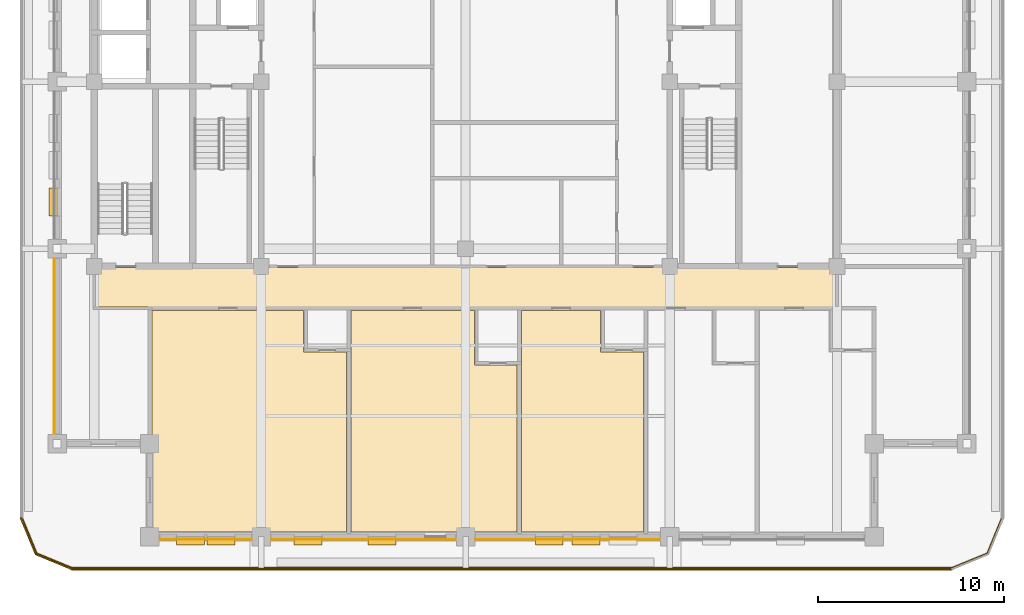
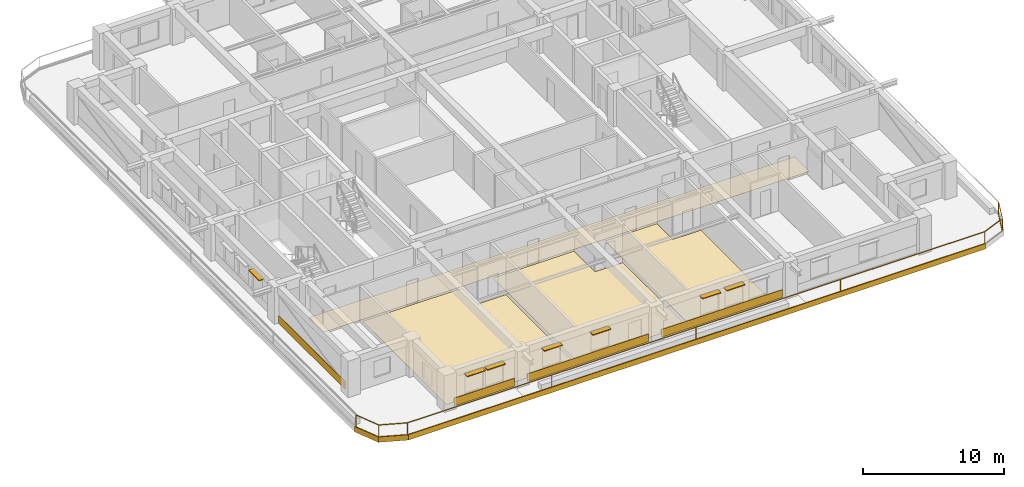
# One storey, part 8 of 14: 11 coverings, 7 shading devices, 1 railing.
"""IFC4 building model written with IfcOpenShell, lengths in metres."""

from ifc_helpers import new_model, si_unit, direction, frame, frame_2d, origin, origin_2d, place, context, subcontext, project, spatial, polyline, rectangle, outline, extrude, material, layer, layer_set, type_object, element, save


model = new_model("IFC4")

# Units and contexts
model_context = context("Model", 3, precision=1e-05, world=origin(), true_north=direction((0.0, 1.0)))
body_context = subcontext(model_context, "Body", "Model", "MODEL_VIEW")
ifc_project = project(units=[si_unit("LENGTHUNIT", "METRE"), si_unit("AREAUNIT", "SQUARE_METRE"), si_unit("VOLUMEUNIT", "CUBIC_METRE"), si_unit("PLANEANGLEUNIT", "RADIAN"), si_unit("MASSUNIT", "GRAM", prefix="KILO")], contexts=[model_context])

# Site, building, storey
site_placement = place(None, origin())
site = spatial("IfcSite", under=ifc_project, at=site_placement, CompositionType="ELEMENT")
building_placement = place(site_placement, origin())
building = spatial("IfcBuilding", under=site, at=building_placement, Name="Zulmaris Gate Convention Tower", CompositionType="ELEMENT")
storey_placement = place(building_placement, frame((0.0, 0.0, 179.659912109375)))
storey = spatial("IfcBuildingStorey", under=building, at=storey_placement, Name="L46", CompositionType="ELEMENT", Elevation=179.659912109375)

# Coverings
ifc_material_1 = material(Name="Precast concrete C40/50", Category="concrete")
ifc_layer_1 = layer(ifc_material_1, 0.0400390625, Name="Precast concrete C40/50")
ifc_layer_set_1 = layer_set([ifc_layer_1], Name="Precast concrete C40/50")
covering_type_1 = type_object("IfcCoveringType", Name="CLAD-SPANDREL-PRECAST", PredefinedType="CLADDING", material=ifc_layer_set_1)
covering_1_placement = place(storey_placement, frame((-16.469970703125, -24.64990234375, 0.0), z_axis=(0.0, 0.0, 1.0), x_axis=(1.0, 0.0, 0.0)))
element("IfcCovering", 1, at=covering_1_placement, inside=storey, type_object=covering_type_1, Name="CLD-L46-S-0_0", PredefinedType="CLADDING", context=body_context, shape_type="SweptSolid", body=[
    extrude(rectangle(XDim=4.93994140625, YDim=0.0400390625, at=frame_2d((2.469970703125, 0.0))), origin(), (0.0, 0.0, 1.0), 0.679931640625),
])
for number, where, z_axis, x_axis, name in (
    (2, (-10.469970703125, -24.64990234375, 0.0), (0.0, 0.0, 1.0), (1.0, 0.0, 0.0), "CLD-L46-S-1_0"),
    (3, (0.530029296875, -24.64990234375, 0.0), (0.0, 0.0, 1.0), (1.0, 0.0, 0.0), "CLD-L46-S-2_0"),
):
    element("IfcCovering", number, at=place(storey_placement, frame(where, z_axis=z_axis, x_axis=x_axis)), inside=storey, type_object=covering_type_1, Name=name, PredefinedType="CLADDING", context=body_context, shape_type="SweptSolid", body=[
        extrude(rectangle(XDim=9.93994140625, YDim=0.0400390625, at=frame_2d((4.969970703125, 0.0))), origin(), (0.0, 0.0, 1.0), 0.679931640625),
    ])
covering_2_placement = place(storey_placement, frame((-22.14990234375, -9.530029296875, 0.0), z_axis=(0.0, 0.0, 1.0), x_axis=(0.0, -1.0, 0.0)))
element("IfcCovering", 4, at=covering_2_placement, inside=storey, type_object=covering_type_1, Name="CLD-L46-W-0_0", PredefinedType="CLADDING", context=body_context, shape_type="SweptSolid", body=[
    extrude(rectangle(XDim=9.43994140625, YDim=0.0400390625, at=frame_2d((4.719970703125, 0.0))), origin(), (0.0, 0.0, 1.0), 0.679931640625),
])
ifc_material_2 = material(Name="White Glazed Architectural Precast Concrete C40/50", Category="concrete")
ifc_layer_2 = layer(ifc_material_2, 0.080078125, Name="White Glazed Architectural Precast Concrete C40/50")
ifc_layer_set_2 = layer_set([ifc_layer_2], Name="White Glazed Architectural Precast Concrete C40/50")
covering_type_2 = type_object("IfcCoveringType", Name="CLAD-TRAY-FASCIA", PredefinedType="CLADDING", material=ifc_layer_set_2)
covering_3_placement = place(storey_placement, frame((-23.962890625, -23.484619140625, -0.31494140625), z_axis=(0.0, 0.0, 1.0), x_axis=(0.382656984709, -0.923890487046, 0.0)))
element("IfcCovering", 5, at=covering_3_placement, inside=storey, type_object=covering_type_2, Name="FSC-L46-TR-00", PredefinedType="CLADDING", context=body_context, shape_type="SweptSolid", body=[
    extrude(rectangle(XDim=2.14306640625, YDim=0.080078125, at=frame_2d((1.071533203125, 0.0))), origin(), (0.0, 0.0, 1.0), 0.4599609375),
])
covering_4_placement = place(storey_placement, frame((-23.16455078125, -25.44287109375, -0.31494140625), z_axis=(0.0, 0.0, 1.0), x_axis=(0.923873803533, -0.382697263049, 0.0)))
element("IfcCovering", 6, at=covering_4_placement, inside=storey, type_object=covering_type_2, Name="FSC-L46-TR-01", PredefinedType="CLADDING", context=body_context, shape_type="SweptSolid", body=[
    extrude(rectangle(XDim=2.142822265625, YDim=0.080078125, at=frame_2d((1.0712890625, 0.0))), origin(), (0.0, 0.0, 1.0), 0.4599609375),
])
covering_5_placement = place(storey_placement, frame((-21.199951171875, -26.260009765625, -0.31494140625), z_axis=(0.0, 0.0, 1.0), x_axis=(1.0, 0.0, 0.0)))
element("IfcCovering", 7, at=covering_5_placement, inside=storey, type_object=covering_type_2, Name="FSC-L46-TR-02", PredefinedType="CLADDING", context=body_context, shape_type="SweptSolid", body=[
    extrude(rectangle(XDim=47.39990234375, YDim=0.080078125, at=frame_2d((23.699951171875, 0.0))), origin(), (0.0, 0.0, 1.0), 0.4599609375),
])
ifc_material_3 = material(Name="Woven Acoustic Wool Carpet Tile")
ifc_layer_3 = layer(ifc_material_3, 0.02001953125, Name="Woven Acoustic Wool Carpet Tile")
ifc_layer_set_3 = layer_set([ifc_layer_3], Name="Woven Acoustic Wool Carpet Tile")
covering_type_3 = type_object("IfcCoveringType", Name="FLR-CARPET-12", PredefinedType="FLOORING", material=ifc_layer_set_3)
covering_6_placement = place(storey_placement, origin())
element("IfcCovering", 8, at=covering_6_placement, inside=storey, type_object=covering_type_3, Name="FLR-L46-R26", PredefinedType="FLOORING", context=body_context, shape_type="SweptSolid", body=[
    extrude(outline(polyline([(-19.93994140625, -12.139892578125), (19.93994140625, -12.139892578125), (19.93994140625, -10.010009765625), (-19.93994140625, -10.010009765625), (-19.93994140625, -12.139892578125)])), origin(), (0.0, 0.0, 1.0), 0.02001953125),
])
ifc_material_4 = material(Name="Engineered Teak Parquet Flooring")
ifc_layer_4 = layer(ifc_material_4, 0.02001953125, Name="Engineered Teak Parquet Flooring")
ifc_layer_set_4 = layer_set([ifc_layer_4], Name="Engineered Teak Parquet Flooring")
covering_type_4 = type_object("IfcCoveringType", Name="FLR-TIMBER-18", PredefinedType="FLOORING", material=ifc_layer_set_4)
covering_7_placement = place(storey_placement, origin())
element("IfcCovering", 9, at=covering_7_placement, inside=storey, type_object=covering_type_4, Name="FLR-L46-R40", PredefinedType="FLOORING", context=body_context, shape_type="SweptSolid", body=[
    extrude(outline(polyline([(-16.8798828125, -24.260009765625), (-6.419921875, -24.260009765625), (-6.419921875, -14.570068359375), (-8.719970703125, -14.570068359375), (-8.719970703125, -12.320068359375), (-16.8798828125, -12.320068359375), (-16.8798828125, -24.260009765625)])), origin(), (0.0, 0.0, 1.0), 0.02001953125),
])
covering_8_placement = place(storey_placement, origin())
element("IfcCovering", 10, at=covering_8_placement, inside=storey, type_object=covering_type_4, Name="FLR-L46-R42", PredefinedType="FLOORING", context=body_context, shape_type="SweptSolid", body=[
    extrude(outline(polyline([(-6.179931640625, -24.260009765625), (2.780029296875, -24.260009765625), (2.780029296875, -15.27001953125), (0.47998046875, -15.27001953125), (0.47998046875, -12.320068359375), (-6.179931640625, -12.320068359375), (-6.179931640625, -24.260009765625)])), origin(), (0.0, 0.0, 1.0), 0.02001953125),
])
covering_9_placement = place(storey_placement, origin())
element("IfcCovering", 11, at=covering_9_placement, inside=storey, type_object=covering_type_4, Name="FLR-L46-R44", PredefinedType="FLOORING", context=body_context, shape_type="SweptSolid", body=[
    extrude(outline(polyline([(3.02001953125, -24.260009765625), (9.580078125, -24.260009765625), (9.580078125, -14.570068359375), (7.280029296875, -14.570068359375), (7.280029296875, -12.320068359375), (3.02001953125, -12.320068359375), (3.02001953125, -24.260009765625)])), origin(), (0.0, 0.0, 1.0), 0.02001953125),
])

# Railing
ifc_material_5 = material(Name="Laminated Glass and Stainless Steel", Category="steel")
railing_type = type_object("IfcRailingType", Name="RL-BALC-1150", PredefinedType="BALUSTRADE", material=ifc_material_5)
railing_placement = place(storey_placement, frame((-23.8798828125, -23.5, -0.014892578125)))
element("IfcRailing", 12, at=railing_placement, inside=storey, type_object=railing_type, Name="RL-L46-BALC-S", PredefinedType="BALUSTRADE", context=body_context, shape_type="SweptSolid", body=[
    extrude(rectangle(XDim=0.048095703125, YDim=0.048095703125, at=origin_2d()), frame((0.0, 0.0, 1.1259765625), z_axis=(0.382670664694, -0.92388482095, 0.0), x_axis=(0.92388482095, 0.382670664694, 0.0)), (0.0, 0.0, 1.0), 2.051025390625),
    extrude(rectangle(XDim=0.048095703125, YDim=0.048095703125, at=origin_2d()), frame((0.0, 0.0, 0.02392578125), z_axis=(0.382670664694, -0.92388482095, 0.0), x_axis=(0.92388482095, 0.382670664694, 0.0)), (0.0, 0.0, 1.0), 2.051025390625),
    extrude(rectangle(XDim=0.048095703125, YDim=0.048095703125, at=origin_2d()), frame((0.784912109375, -1.89501953125, 1.1259765625), z_axis=(0.92388482095, -0.382670664694, 0.0), x_axis=(0.382670664694, 0.92388482095, 0.0)), (0.0, 0.0, 1.0), 2.051025390625),
    extrude(rectangle(XDim=0.048095703125, YDim=0.048095703125, at=origin_2d()), frame((0.784912109375, -1.89501953125, 0.02392578125), z_axis=(0.92388482095, -0.382670664694, 0.0), x_axis=(0.382670664694, 0.92388482095, 0.0)), (0.0, 0.0, 1.0), 2.051025390625),
    extrude(rectangle(XDim=0.048095703125, YDim=0.048095703125, at=origin_2d()), frame((2.679931640625, -2.679931640625, 1.1259765625), z_axis=(1.0, 0.0, 0.0), x_axis=(0.0, 1.0, 0.0)), (0.0, 0.0, 1.0), 47.39990234375),
    extrude(rectangle(XDim=0.048095703125, YDim=0.048095703125, at=origin_2d()), frame((2.679931640625, -2.679931640625, 0.02392578125), z_axis=(1.0, 0.0, 0.0), x_axis=(0.0, 1.0, 0.0)), (0.0, 0.0, 1.0), 47.39990234375),
    extrude(rectangle(XDim=0.048095703125, YDim=0.048095703125, at=origin_2d()), frame((50.079833984375, -2.679931640625, 1.1259765625), z_axis=(0.92388482095, 0.382670664694, 0.0), x_axis=(-0.382670664694, 0.92388482095, 0.0)), (0.0, 0.0, 1.0), 2.051025390625),
    extrude(rectangle(XDim=0.048095703125, YDim=0.048095703125, at=origin_2d()), frame((50.079833984375, -2.679931640625, 0.02392578125), z_axis=(0.92388482095, 0.382670664694, 0.0), x_axis=(-0.382670664694, 0.92388482095, 0.0)), (0.0, 0.0, 1.0), 2.051025390625),
    extrude(rectangle(XDim=0.048095703125, YDim=0.048095703125, at=origin_2d()), frame((51.974853515625, -1.89501953125, 1.1259765625), z_axis=(0.382670664694, 0.92388482095, 0.0), x_axis=(-0.92388482095, 0.382670664694, 0.0)), (0.0, 0.0, 1.0), 2.051025390625),
    extrude(rectangle(XDim=0.048095703125, YDim=0.048095703125, at=origin_2d()), frame((51.974853515625, -1.89501953125, 0.02392578125), z_axis=(0.382670664694, 0.92388482095, 0.0), x_axis=(-0.92388482095, 0.382670664694, 0.0)), (0.0, 0.0, 1.0), 2.051025390625),
    extrude(rectangle(XDim=0.0419921875, YDim=0.0419921875, at=origin_2d()), origin(), (0.0, 0.0, 1.0), 1.101806640625),
    extrude(rectangle(XDim=0.0419921875, YDim=0.0419921875, at=origin_2d()), frame((0.784912109375, -1.89501953125, 0.0)), (0.0, 0.0, 1.0), 1.101806640625),
    extrude(rectangle(XDim=0.0419921875, YDim=0.0419921875, at=origin_2d()), frame((2.679931640625, -2.679931640625, 0.0)), (0.0, 0.0, 1.0), 1.101806640625),
    extrude(rectangle(XDim=0.0419921875, YDim=0.0419921875, at=origin_2d()), frame((14.52978515625, -2.679931640625, 0.0)), (0.0, 0.0, 1.0), 1.101806640625),
    extrude(rectangle(XDim=0.0419921875, YDim=0.0419921875, at=origin_2d()), frame((26.3798828125, -2.679931640625, 0.0)), (0.0, 0.0, 1.0), 1.101806640625),
    extrude(rectangle(XDim=0.0419921875, YDim=0.0419921875, at=origin_2d()), frame((38.22998046875, -2.679931640625, 0.0)), (0.0, 0.0, 1.0), 1.101806640625),
    extrude(rectangle(XDim=0.0419921875, YDim=0.0419921875, at=origin_2d()), frame((50.079833984375, -2.679931640625, 0.0)), (0.0, 0.0, 1.0), 1.101806640625),
    extrude(rectangle(XDim=0.0419921875, YDim=0.0419921875, at=origin_2d()), frame((51.974853515625, -1.89501953125, 0.0)), (0.0, 0.0, 1.0), 1.101806640625),
    extrude(rectangle(XDim=0.0419921875, YDim=0.0419921875, at=origin_2d()), frame((52.759765625, 0.0, 0.0)), (0.0, 0.0, 1.0), 1.101806640625),
])

# Shading devices
ifc_material_6 = material(Name="Glazed Ceramic Terracotta", Category="masonry")
ifc_layer_5 = layer(ifc_material_6, 0.070068359375, Name="Glazed Ceramic Terracotta")
ifc_layer_set_5 = layer_set([ifc_layer_5], Name="Glazed Ceramic Terracotta")
shading_device_type = type_object("IfcShadingDeviceType", Name="SHD-SUNSHADE-TC", PredefinedType="AWNING", material=ifc_layer_set_5)
for number, where, z_axis, x_axis, name in (
    (13, (-15.572998046875, -24.719970703125, 2.35009765625), (0.0, 0.0, 1.0), (1.0, 0.0, 0.0), "SHD-EW-L46-S-0_0-1"),
    (14, (-13.927001953125, -24.719970703125, 2.35009765625), (0.0, 0.0, 1.0), (1.0, 0.0, 0.0), "SHD-EW-L46-S-0_0-2"),
    (15, (-9.23193359375, -24.719970703125, 2.35009765625), (0.0, 0.0, 1.0), (1.0, 0.0, 0.0), "SHD-EW-L46-S-1_0-1"),
    (16, (-5.256103515625, -24.719970703125, 2.35009765625), (0.0, 0.0, 1.0), (1.0, 0.0, 0.0), "SHD-EW-L46-S-1_0-3"),
    (17, (3.756103515625, -24.719970703125, 2.35009765625), (0.0, 0.0, 1.0), (1.0, 0.0, 0.0), "SHD-EW-L46-S-2_0-2"),
    (18, (5.743896484375, -24.719970703125, 2.35009765625), (0.0, 0.0, 1.0), (1.0, 0.0, 0.0), "SHD-EW-L46-S-2_0-3"),
    (19, (-22.219970703125, -5.735107421875, 2.35009765625), (0.0, 0.0, 1.0), (0.0, -1.0, 0.0), "SHD-EW-L46-W-1_0-3"),
):
    element("IfcShadingDevice", number, at=place(storey_placement, frame(where, z_axis=z_axis, x_axis=x_axis)), inside=storey, type_object=shading_device_type, Name=name, PredefinedType="AWNING", context=body_context, shape_type="SweptSolid", body=[
        extrude(rectangle(XDim=1.5, YDim=0.43994140625, at=frame_2d((0.75, 0.0))), origin(), (0.0, 0.0, 1.0), 0.06982421875),
    ])

save(model, "model.ifc")
